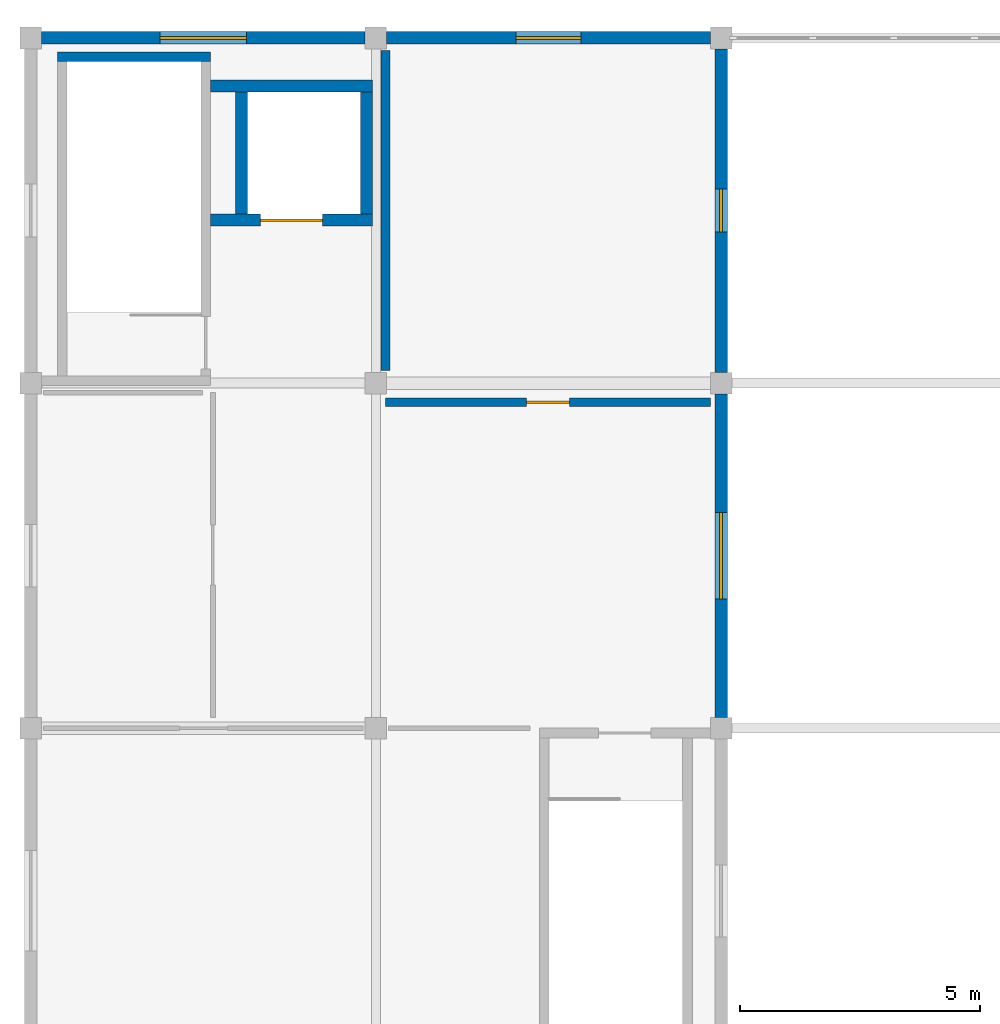
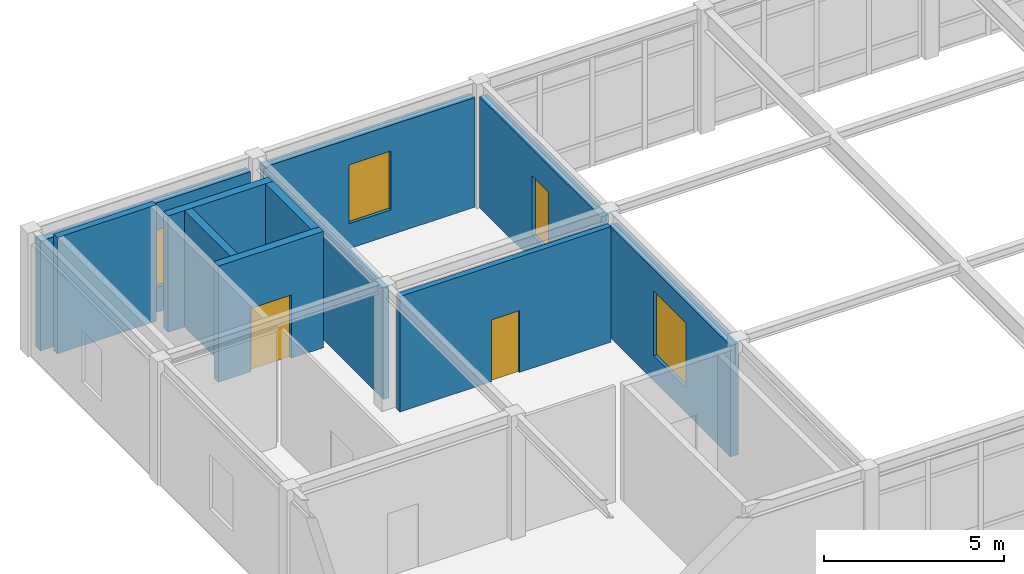
# One storey, part 114 of 136: 11 walls, 4 windows, 2 doors, 6 openings.
"""IFC4 building model written with IfcOpenShell, lengths in metres."""

from ifc_helpers import new_model, si_unit, direction, frame, frame_2d, origin, place, context, subcontext, project, spatial, rectangle, extrude, material, layer, layer_set, type_object, element, fill, save


model = new_model("IFC4")

# Units and contexts
model_context = context("Model", 3, precision=1e-05, world=origin(), true_north=direction((0.0, 1.0)))
body_context = subcontext(model_context, "Body", "Model", "MODEL_VIEW")
ifc_project = project(units=[si_unit("LENGTHUNIT", "METRE"), si_unit("AREAUNIT", "SQUARE_METRE"), si_unit("VOLUMEUNIT", "CUBIC_METRE"), si_unit("PLANEANGLEUNIT", "RADIAN"), si_unit("MASSUNIT", "GRAM", prefix="KILO")], contexts=[model_context])

# Site, building, storey
site_placement = place(None, origin())
site = spatial("IfcSite", under=ifc_project, at=site_placement, CompositionType="ELEMENT")
building_placement = place(site_placement, origin())
building = spatial("IfcBuilding", under=site, at=building_placement, Name="Koriwan Promenade Central Fire Station", CompositionType="ELEMENT")
storey_placement = place(building_placement, frame((0.0, 0.0, 5.39990234375)))
storey = spatial("IfcBuildingStorey", under=building, at=storey_placement, Name="L01", CompositionType="ELEMENT", Elevation=5.39990234375)

# Wall, opening, window
ifc_material_1 = material(Name="Precast concrete C40/50", Category="concrete")
ifc_layer_1 = layer(ifc_material_1, 0.260009765625, Name="Precast concrete C40/50")
ifc_layer_set_1 = layer_set([ifc_layer_1], Name="Precast concrete C40/50")
wall_type_1 = type_object("IfcWallType", Name="ExtWall_WorkshopRed_260", PredefinedType="STANDARD", material=ifc_layer_set_1)
wall_1_placement = place(storey_placement, frame((14.39990234375, 101.02490234375, 0.0), z_axis=(0.0, 0.0, 1.0), x_axis=(0.0, 1.0, 0.0)))
wall_1 = element("IfcWall", 1, at=wall_1_placement, inside=storey, type_object=wall_type_1, Name="V6 L01 exterior wall 352", PredefinedType="STANDARD", context=body_context, shape_type="SweptSolid", body=[
    extrude(rectangle(XDim=6.75, YDim=0.260009765625, at=frame_2d((3.375, 0.0))), origin(), (0.0, 0.0, 1.0), 3.773193359375),
])
opening_1_placement = place(wall_1_placement, frame((2.47509765625, 0.0, 0.85009765625)))
opening_1 = element("IfcOpeningElement", 2, at=opening_1_placement, cuts=wall_1, Name="Opening W-03", PredefinedType="OPENING", context=body_context, shape_type="SweptSolid", body=[
    extrude(rectangle(XDim=1.800048828125, YDim=2.199951171875, at=frame_2d((0.89990234375, 1.10009765625))), frame((0.0, 0.14208984375, 0.0), z_axis=(0.0, -1.0, 0.0), x_axis=(1.0, 0.0, 0.0)), (0.0, 0.0, 1.0), 0.283935546875),
])
ifc_material_2 = material(Name="Solar-control low-E laminated double glazing", Category="glass")
window_type_1 = type_object("IfcWindowType", Name="Win_Jharokha_1800x2200", PartitioningType="SINGLE_PANEL", PredefinedType="WINDOW", material=ifc_material_2)
window_1_placement = place(opening_1_placement, origin())
window_1 = element("IfcWindow", 3, at=window_1_placement, inside=storey, type_object=window_type_1, Name="V6 L01 window 0116", OverallHeight=2.199951171875, OverallWidth=1.800048828125, PartitioningType="SINGLE_PANEL", PredefinedType="WINDOW", context=body_context, shape_type="SweptSolid", body=[
    extrude(rectangle(XDim=1.800048828125, YDim=2.199951171875, at=frame_2d((0.89990234375, 1.10009765625))), frame((0.0, 0.030029296875, 0.0), z_axis=(0.0, -1.0, 0.0), x_axis=(1.0, 0.0, 0.0)), (0.0, 0.0, 1.0), 0.06005859375),
])
fill(opening_1, window_1)

wall_2_placement = place(storey_placement, frame((14.39990234375, 108.22509765625, 0.0), z_axis=(0.0, 0.0, 1.0), x_axis=(0.0, 1.0, 0.0)))
wall_2 = element("IfcWall", 4, at=wall_2_placement, inside=storey, type_object=wall_type_1, Name="V6 L01 exterior wall 353", PredefinedType="STANDARD", context=body_context, shape_type="SweptSolid", body=[
    extrude(rectangle(XDim=6.75, YDim=0.260009765625, at=frame_2d((3.375, 0.0))), origin(), (0.0, 0.0, 1.0), 3.773193359375),
])
opening_2_placement = place(wall_2_placement, frame((2.925048828125, 0.0, 0.85009765625)))
opening_2 = element("IfcOpeningElement", 5, at=opening_2_placement, cuts=wall_2, Name="Opening W-04", PredefinedType="OPENING", context=body_context, shape_type="SweptSolid", body=[
    extrude(rectangle(XDim=0.89990234375, YDim=2.0, at=frame_2d((0.449951171875, 1.0))), frame((0.0, 0.14208984375, 0.0), z_axis=(0.0, -1.0, 0.0), x_axis=(1.0, 0.0, 0.0)), (0.0, 0.0, 1.0), 0.283935546875),
])
window_type_2 = type_object("IfcWindowType", Name="Win_HQ_900x2000", PartitioningType="SINGLE_PANEL", PredefinedType="WINDOW", material=ifc_material_2)
window_2_placement = place(opening_2_placement, origin())
window_2 = element("IfcWindow", 6, at=window_2_placement, inside=storey, type_object=window_type_2, Name="V6 L01 window 0117", OverallHeight=2.0, OverallWidth=0.89990234375, PartitioningType="SINGLE_PANEL", PredefinedType="WINDOW", context=body_context, shape_type="SweptSolid", body=[
    extrude(rectangle(XDim=0.89990234375, YDim=2.0, at=frame_2d((0.449951171875, 1.0))), frame((0.0, 0.030029296875, 0.0), z_axis=(0.0, -1.0, 0.0), x_axis=(1.0, 0.0, 0.0)), (0.0, 0.0, 1.0), 0.06005859375),
])
fill(opening_2, window_2)

wall_3_placement = place(storey_placement, frame((14.175048828125, 115.199951171875, 0.0), z_axis=(0.0, 0.0, 1.0), x_axis=(-1.0, 0.0, 0.0)))
wall_3 = element("IfcWall", 7, at=wall_3_placement, inside=storey, type_object=wall_type_1, Name="V6 L01 exterior wall 354", PredefinedType="STANDARD", context=body_context, shape_type="SweptSolid", body=[
    extrude(rectangle(XDim=6.75, YDim=0.260009765625, at=frame_2d((3.375, 0.0))), origin(), (0.0, 0.0, 1.0), 3.72119140625),
])
opening_3_placement = place(wall_3_placement, frame((2.699951171875, 0.0, 0.85009765625)))
opening_3 = element("IfcOpeningElement", 8, at=opening_3_placement, cuts=wall_3, Name="Opening W-05", PredefinedType="OPENING", context=body_context, shape_type="SweptSolid", body=[
    extrude(rectangle(XDim=1.35009765625, YDim=2.0, at=frame_2d((0.675048828125, 1.0))), frame((0.0, 0.14208984375, 0.0), z_axis=(0.0, -1.0, 0.0), x_axis=(1.0, 0.0, 0.0)), (0.0, 0.0, 1.0), 0.283935546875),
])
window_type_3 = type_object("IfcWindowType", Name="Win_HQ_1350x2000", PartitioningType="SINGLE_PANEL", PredefinedType="WINDOW", material=ifc_material_2)
window_3_placement = place(opening_3_placement, origin())
window_3 = element("IfcWindow", 9, at=window_3_placement, inside=storey, type_object=window_type_3, Name="V6 L01 window 0118", OverallHeight=2.0, OverallWidth=1.35009765625, PartitioningType="SINGLE_PANEL", PredefinedType="WINDOW", context=body_context, shape_type="SweptSolid", body=[
    extrude(rectangle(XDim=1.35009765625, YDim=2.0, at=frame_2d((0.675048828125, 1.0))), frame((0.0, 0.030029296875, 0.0), z_axis=(0.0, -1.0, 0.0), x_axis=(1.0, 0.0, 0.0)), (0.0, 0.0, 1.0), 0.06005859375),
])
fill(opening_3, window_3)

wall_4_placement = place(storey_placement, frame((6.97509765625, 115.199951171875, 0.0), z_axis=(0.0, 0.0, 1.0), x_axis=(-1.0, 0.0, 0.0)))
wall_4 = element("IfcWall", 10, at=wall_4_placement, inside=storey, type_object=wall_type_1, Name="V6 L01 exterior wall 355", PredefinedType="STANDARD", context=body_context, shape_type="SweptSolid", body=[
    extrude(rectangle(XDim=6.75, YDim=0.260009765625, at=frame_2d((3.375, 0.0))), origin(), (0.0, 0.0, 1.0), 3.72119140625),
])
opening_4_placement = place(wall_4_placement, frame((2.47509765625, 0.0, 0.85009765625)))
opening_4 = element("IfcOpeningElement", 11, at=opening_4_placement, cuts=wall_4, Name="Opening W-06", PredefinedType="OPENING", context=body_context, shape_type="SweptSolid", body=[
    extrude(rectangle(XDim=1.800048828125, YDim=1.949951171875, at=frame_2d((0.89990234375, 0.97509765625))), frame((0.0, 0.14208984375, 0.0), z_axis=(0.0, -1.0, 0.0), x_axis=(1.0, 0.0, 0.0)), (0.0, 0.0, 1.0), 0.283935546875),
])
window_type_4 = type_object("IfcWindowType", Name="Win_HQ_1800x1950", PartitioningType="SINGLE_PANEL", PredefinedType="WINDOW", material=ifc_material_2)
window_4_placement = place(opening_4_placement, origin())
window_4 = element("IfcWindow", 12, at=window_4_placement, inside=storey, type_object=window_type_4, Name="V6 L01 window 0119", OverallHeight=1.949951171875, OverallWidth=1.800048828125, PartitioningType="SINGLE_PANEL", PredefinedType="WINDOW", context=body_context, shape_type="SweptSolid", body=[
    extrude(rectangle(XDim=1.800048828125, YDim=1.949951171875, at=frame_2d((0.89990234375, 0.97509765625))), frame((0.0, 0.030029296875, 0.0), z_axis=(0.0, -1.0, 0.0), x_axis=(1.0, 0.0, 0.0)), (0.0, 0.0, 1.0), 0.06005859375),
])
fill(opening_4, window_4)

# Wall, opening, door
ifc_material_3 = material(Name="Moisture-resistant sanitary chase wall", Category="gypsum")
ifc_layer_2 = layer(ifc_material_3, 0.179931640625, Name="Moisture-resistant sanitary chase wall")
ifc_layer_set_2 = layer_set([ifc_layer_2], Name="Moisture-resistant sanitary chase wall")
wall_type_2 = type_object("IfcWallType", Name="IntWall_Plumbing_180", PredefinedType="PLUMBINGWALL", material=ifc_layer_set_2)
wall_5_placement = place(storey_placement, frame((7.39990234375, 107.60009765625, 0.0), z_axis=(0.0, 0.0, 1.0), x_axis=(1.0, 0.0, 0.0)))
wall_5 = element("IfcWall", 13, at=wall_5_placement, inside=storey, type_object=wall_type_2, Name="Workshop Mezzanine Accessible WC partition S", PredefinedType="PLUMBINGWALL", context=body_context, shape_type="SweptSolid", body=[
    extrude(rectangle(XDim=6.780029296875, YDim=0.179931640625, at=frame_2d((3.39013671875, 0.0))), origin(), (0.0, 0.0, 1.0), 3.920166015625),
])
opening_5_placement = place(wall_5_placement, frame((2.93994140625, 0.0, 0.0)))
opening_5 = element("IfcOpeningElement", 14, at=opening_5_placement, cuts=wall_5, Name="Opening D-202", PredefinedType="OPENING", context=body_context, shape_type="SweptSolid", body=[
    extrude(rectangle(XDim=0.89990234375, YDim=2.10009765625, at=frame_2d((0.449951171875, 1.050048828125))), frame((0.0, 0.10205078125, 0.0), z_axis=(0.0, -1.0, 0.0), x_axis=(1.0, 0.0, 0.0)), (0.0, 0.0, 1.0), 0.203857421875),
])
ifc_material_4 = material(Name="High-pressure laminate moisture-resistant core", Category="wood")
door_type_1 = type_object("IfcDoorType", Name="RoomDoor_WC_900x2100", OperationType="NOTDEFINED", PredefinedType="DOOR", material=ifc_material_4)
door_1_placement = place(opening_5_placement, origin())
door_1 = element("IfcDoor", 15, at=door_1_placement, inside=storey, type_object=door_type_1, Name="Workshop Mezzanine Accessible WC Door D-202", OperationType="SINGLE_SWING_RIGHT", OverallHeight=2.10009765625, OverallWidth=0.89990234375, PredefinedType="DOOR", context=body_context, shape_type="SweptSolid", body=[
    extrude(rectangle(XDim=0.89990234375, YDim=2.10009765625, at=frame_2d((0.449951171875, 1.050048828125))), frame((0.0, 0.02490234375, 0.0), z_axis=(0.0, -1.0, 0.0), x_axis=(1.0, 0.0, 0.0)), (0.0, 0.0, 1.0), 0.050048828125),
])
fill(opening_5, door_1)

# Walls
wall_6_placement = place(storey_placement, frame((7.39990234375, 108.264892578125, 0.0), z_axis=(0.0, 0.0, 1.0), x_axis=(0.0, 1.0, 0.0)))
element("IfcWall", 16, at=wall_6_placement, inside=storey, type_object=wall_type_2, Name="Workshop Mezzanine Accessible WC partition W", PredefinedType="PLUMBINGWALL", context=body_context, shape_type="SweptSolid", body=[
    extrude(rectangle(XDim=6.670166015625, YDim=0.179931640625, at=frame_2d((3.3349609375, 0.0))), origin(), (0.0, 0.0, 1.0), 3.77099609375),
])
ifc_material_5 = material(Name="Concrete C40/50", Category="concrete")
ifc_layer_3 = layer(ifc_material_5, 0.199951171875, Name="Concrete C40/50")
ifc_layer_set_3 = layer_set([ifc_layer_3], Name="Concrete C40/50")
wall_type_3 = type_object("IfcWallType", Name="ShearWall_200", PredefinedType="SHEAR", material=ifc_layer_set_3)
wall_7_placement = place(storey_placement, frame((0.56005859375, 114.81005859375, 0.0), z_axis=(0.0, 0.0, 1.0), x_axis=(1.0, 0.0, 0.0)))
element("IfcWall", 17, at=wall_7_placement, inside=storey, type_object=wall_type_3, Name="ST32 L01 structural stair wall N", PredefinedType="SHEAR", context=body_context, shape_type="SweptSolid", body=[
    extrude(rectangle(XDim=3.18994140625, YDim=0.199951171875, at=frame_2d((1.594970703125, 0.0))), origin(), (0.0, 0.0, 1.0), 3.9501953125),
])

# Wall, opening, door
ifc_layer_4 = layer(ifc_material_5, 0.25, Name="Concrete C40/50")
ifc_layer_set_4 = layer_set([ifc_layer_4], Name="Concrete C40/50")
wall_type_4 = type_object("IfcWallType", Name="ShearWall_250", PredefinedType="SHEAR", material=ifc_layer_set_4)
wall_8_placement = place(storey_placement, frame((3.75, 111.39990234375, 0.0), z_axis=(0.0, 0.0, 1.0), x_axis=(1.0, 0.0, 0.0)))
wall_8 = element("IfcWall", 18, at=wall_8_placement, inside=storey, type_object=wall_type_4, Name="LG01 shaft wall S (L01)", PredefinedType="SHEAR", context=body_context, shape_type="SweptSolid", body=[
    extrude(rectangle(XDim=3.375, YDim=0.25, at=frame_2d((1.6875, 0.0))), origin(), (0.0, 0.0, 1.0), 3.9501953125),
])
opening_6_placement = place(wall_8_placement, frame((1.03759765625, 0.0, 0.0)))
opening_6 = element("IfcOpeningElement", 19, at=opening_6_placement, cuts=wall_8, Name="Opening LD-LG01-L01", PredefinedType="OPENING", context=body_context, shape_type="SweptSolid", body=[
    extrude(rectangle(XDim=1.300048828125, YDim=2.14990234375, at=frame_2d((0.64990234375, 1.074951171875))), frame((0.0, 0.136962890625, 0.0), z_axis=(0.0, -1.0, 0.0), x_axis=(1.0, 0.0, 0.0)), (0.0, 0.0, 1.0), 0.27392578125),
])
ifc_material_6 = material(Name="Stainless steel 316", Category="steel")
door_type_2 = type_object("IfcDoorType", Name="LiftDoor_Goods_1300x2150", OperationType="SLIDING_TO_LEFT", PredefinedType="DOOR", material=ifc_material_6)
door_2_placement = place(opening_6_placement, origin())
door_2 = element("IfcDoor", 20, at=door_2_placement, inside=storey, type_object=door_type_2, Name="Lift LG01 Sliding Landing Door LD-LG01-L01", OperationType="SLIDING_TO_LEFT", OverallHeight=2.14990234375, OverallWidth=1.300048828125, PredefinedType="DOOR", context=body_context, shape_type="SweptSolid", body=[
    extrude(rectangle(XDim=1.300048828125, YDim=2.14990234375, at=frame_2d((0.64990234375, 1.074951171875))), frame((0.0, 0.02490234375, 0.0), z_axis=(0.0, -1.0, 0.0), x_axis=(1.0, 0.0, 0.0)), (0.0, 0.0, 1.0), 0.050048828125),
])
fill(opening_6, door_2)

# Walls
wall_9_placement = place(storey_placement, frame((3.75, 114.199951171875, 0.0), z_axis=(0.0, 0.0, 1.0), x_axis=(1.0, 0.0, 0.0)))
element("IfcWall", 21, at=wall_9_placement, inside=storey, type_object=wall_type_4, Name="LG01 shaft wall N (L01)", PredefinedType="SHEAR", context=body_context, shape_type="SweptSolid", body=[
    extrude(rectangle(XDim=3.375, YDim=0.25, at=frame_2d((1.6875, 0.0))), origin(), (0.0, 0.0, 1.0), 3.9501953125),
])
for number, where, z_axis, x_axis, name in (
    (22, (4.39990234375, 111.52490234375, 0.0), (0.0, 0.0, 1.0), (0.0, 1.0, 0.0), "LG01 shaft wall W (L01)"),
    (23, (7.0, 111.52490234375, 0.0), (0.0, 0.0, 1.0), (0.0, 1.0, 0.0), "LG01 shaft wall E (L01)"),
):
    element("IfcWall", number, at=place(storey_placement, frame(where, z_axis=z_axis, x_axis=x_axis)), inside=storey, type_object=wall_type_4, Name=name, PredefinedType="SHEAR", context=body_context, shape_type="SweptSolid", body=[
        extrude(rectangle(XDim=2.550048828125, YDim=0.25, at=frame_2d((1.27490234375, 0.0))), origin(), (0.0, 0.0, 1.0), 3.9501953125),
    ])

save(model, "model.ifc")
